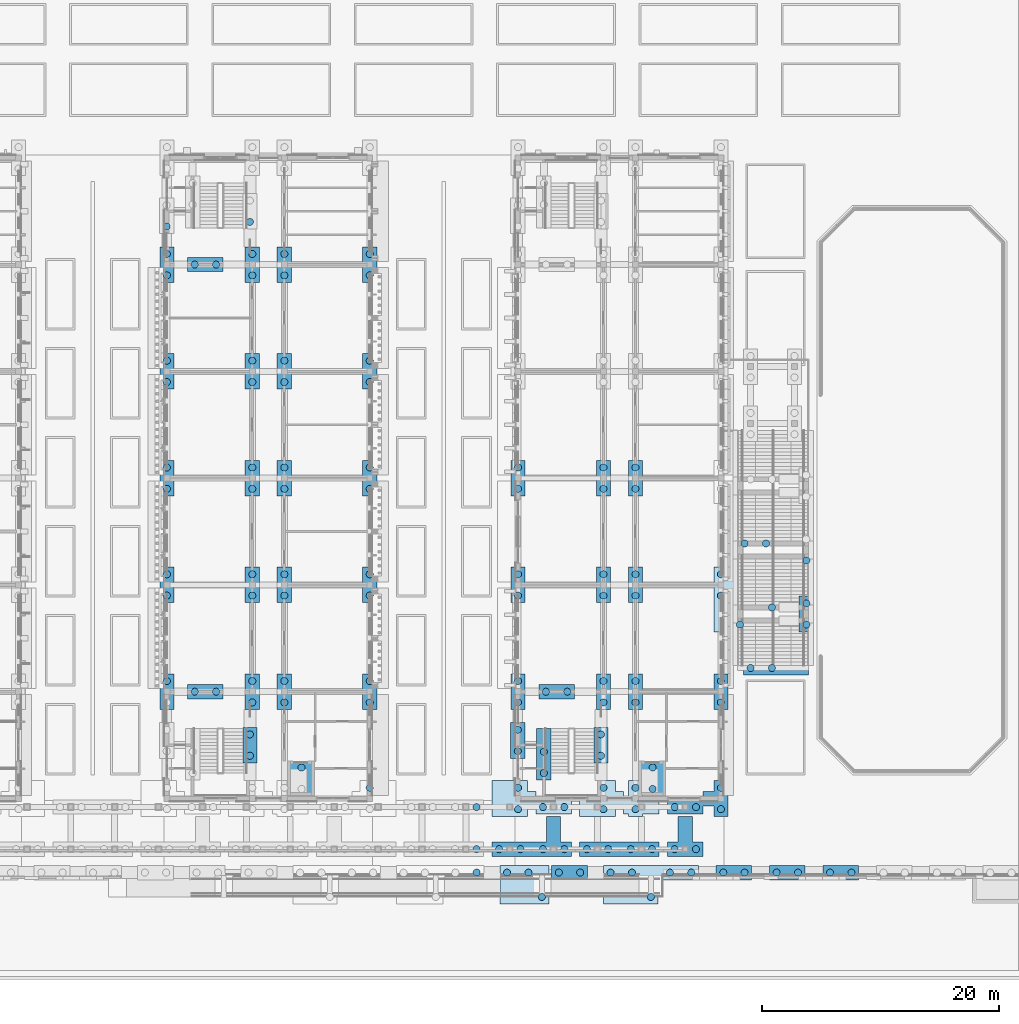
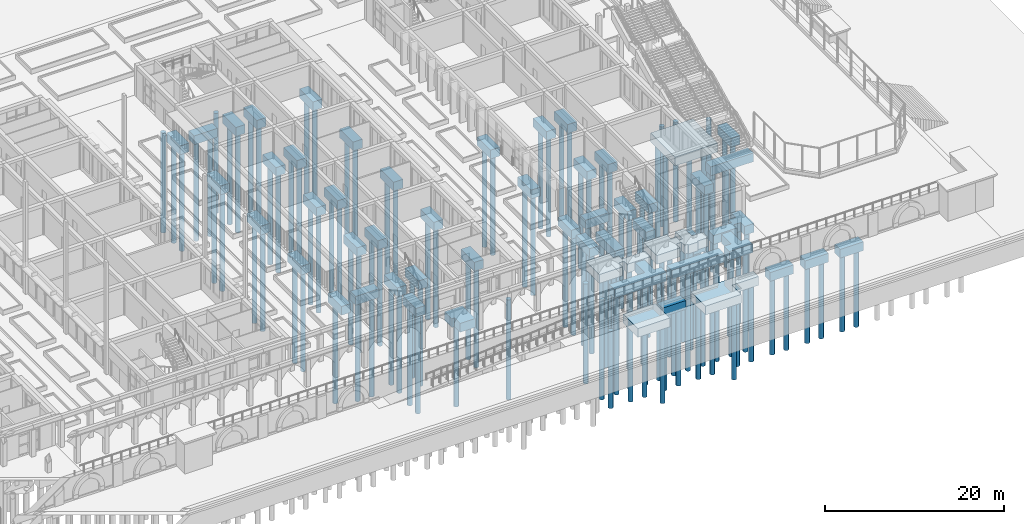
# One storey, part 5 of 161: 131 piles, 54 footings.
"""IFC4 building model written with IfcOpenShell, lengths in metres."""

from ifc_helpers import new_model, si_unit, direction, frame, origin, origin_2d, place, context, subcontext, project, spatial, polyline, rectangle, circle, outline, extrude, material, material_profile, profile_set, type_object, element, save


model = new_model("IFC4")

# Units and contexts
model_context = context("Model", 3, precision=1e-05, world=origin(), true_north=direction((0.0, 1.0)))
body_context = subcontext(model_context, "Body", "Model", "MODEL_VIEW")
ifc_project = project(units=[si_unit("LENGTHUNIT", "METRE"), si_unit("AREAUNIT", "SQUARE_METRE"), si_unit("VOLUMEUNIT", "CUBIC_METRE"), si_unit("PLANEANGLEUNIT", "RADIAN"), si_unit("MASSUNIT", "GRAM", prefix="KILO")], contexts=[model_context])

# Site, building, storey
site_placement = place(None, origin())
site = spatial("IfcSite", under=ifc_project, at=site_placement, CompositionType="ELEMENT")
building_placement = place(site_placement, origin())
building = spatial("IfcBuilding", under=site, at=building_placement, Name="Elbe Cascade School", CompositionType="ELEMENT")
storey_placement = place(building_placement, origin())
storey = spatial("IfcBuildingStorey", under=building, at=storey_placement, Name="L00", CompositionType="ELEMENT", Elevation=0.0)

# Piles
ifc_material_1 = material(Name="Concrete C35/45", Category="concrete")
ifc_material_profile = material_profile(ifc_material_1, circle(Radius=0.300048828125, at=origin_2d()), Name="RC D600")
ifc_profile_set = profile_set([ifc_material_profile], Name="Concrete C35/45")
pile_type = type_object("IfcPileType", Name="Found bored pile RC D600", PredefinedType="BORED", material=ifc_profile_set)
for number, where, z_axis, x_axis, name in (
    (1, (156.8759765625, -0.25, -4.5), (0.0, 0.0, -1.0), (1.0, 0.0, 0.0), "Pile 028-1"),
    (2, (158.67578125, -0.25, -4.5), (0.0, 0.0, -1.0), (1.0, 0.0, 0.0), "Pile 028-2"),
    (3, (159.81005859375, -2.300048828125, -4.5), (0.0, 0.0, -1.0), (1.0, 0.0, 0.0), "Pile 028-3"),
    (4, (161.238037109375, -0.25, -4.5), (0.0, 0.0, -1.0), (1.0, 0.0, 0.0), "Pile 029-1"),
    (5, (163.037841796875, -0.25, -4.5), (0.0, 0.0, -1.0), (1.0, 0.0, 0.0), "Pile 029-2"),
    (6, (175.10009765625, -0.25, -4.5), (0.0, 0.0, -1.0), (1.0, 0.0, 0.0), "Pile 030-1"),
    (7, (176.89990234375, -0.25, -4.5), (0.0, 0.0, -1.0), (1.0, 0.0, 0.0), "Pile 030-2"),
    (8, (179.60009765625, -0.25, -4.5), (0.0, 0.0, -1.0), (1.0, 0.0, 0.0), "Pile 031-1"),
    (9, (181.39990234375, -0.25, -4.5), (0.0, 0.0, -1.0), (1.0, 0.0, 0.0), "Pile 031-2"),
    (10, (184.10009765625, -0.25, -4.5), (0.0, 0.0, -1.0), (1.0, 0.0, 0.0), "Pile 032-1"),
    (11, (185.89990234375, -0.25, -4.5), (0.0, 0.0, -1.0), (1.0, 0.0, 0.0), "Pile 032-2"),
):
    element("IfcPile", number, at=place(storey_placement, frame(where, z_axis=z_axis, x_axis=x_axis)), inside=storey, type_object=pile_type, Name=name, PredefinedType="BORED", context=body_context, shape_type="SweptSolid", body=[
        extrude(circle(Radius=0.300048828125, at=origin_2d()), origin(), (0.0, 0.0, 1.0), 10.5),
    ])
for number, where, z_axis, x_axis, name in (
    (12, (139.550048828125, 8.60009765625, -3.199951171875), (0.0, 0.0, -1.0), (1.0, 0.0, 0.0), "Pile 039-2"),
    (13, (169.14990234375, 6.800048828125, -3.199951171875), (0.0, 0.0, -1.0), (1.0, 0.0, 0.0), "Pile 040-1"),
    (14, (169.14990234375, 8.60009765625, -3.199951171875), (0.0, 0.0, -1.0), (1.0, 0.0, 0.0), "Pile 040-2"),
):
    element("IfcPile", number, at=place(storey_placement, frame(where, z_axis=z_axis, x_axis=x_axis)), inside=storey, type_object=pile_type, Name=name, PredefinedType="BORED", context=body_context, shape_type="SweptSolid", body=[
        extrude(circle(Radius=0.300048828125, at=origin_2d()), origin(), (0.0, 0.0, 1.0), 11.800048828125),
    ])
for number, where, z_axis, x_axis, name in (
    (15, (128.179931640625, 54.2099609375, -1.39990234375), (0.0, 0.0, -1.0), (1.0, 0.0, 0.0), "Pile 193-1"),
    (16, (128.199951171875, 15.89990234375, -1.39990234375), (0.0, 0.0, -1.0), (1.0, 0.0, 0.0), "Pile 194-2"),
    (17, (128.199951171875, 23.10009765625, -1.39990234375), (0.0, 0.0, -1.0), (1.0, 0.0, 0.0), "Pile 195-1"),
    (18, (128.199951171875, 24.89990234375, -1.39990234375), (0.0, 0.0, -1.0), (1.0, 0.0, 0.0), "Pile 195-2"),
    (19, (128.199951171875, 32.10009765625, -1.39990234375), (0.0, 0.0, -1.0), (1.0, 0.0, 0.0), "Pile 196-1"),
    (20, (128.199951171875, 33.89990234375, -1.39990234375), (0.0, 0.0, -1.0), (1.0, 0.0, 0.0), "Pile 196-2"),
    (21, (128.199951171875, 41.10009765625, -1.39990234375), (0.0, 0.0, -1.0), (1.0, 0.0, 0.0), "Pile 197-1"),
    (22, (128.199951171875, 42.89990234375, -1.39990234375), (0.0, 0.0, -1.0), (1.0, 0.0, 0.0), "Pile 197-2"),
    (23, (128.199951171875, 50.10009765625, -1.39990234375), (0.0, 0.0, -1.0), (1.0, 0.0, 0.0), "Pile 198-1"),
    (24, (128.199951171875, 51.89990234375, -1.39990234375), (0.0, 0.0, -1.0), (1.0, 0.0, 0.0), "Pile 198-2"),
    (25, (130.550048828125, 15.0, -1.39990234375), (0.0, 0.0, -1.0), (1.0, 0.0, 0.0), "Pile 200-1"),
    (26, (132.35009765625, 15.0, -1.39990234375), (0.0, 0.0, -1.0), (1.0, 0.0, 0.0), "Pile 200-2"),
    (27, (130.550048828125, 51.0, -1.39990234375), (0.0, 0.0, -1.0), (1.0, 0.0, 0.0), "Pile 201-1"),
    (28, (132.35009765625, 51.0, -1.39990234375), (0.0, 0.0, -1.0), (1.0, 0.0, 0.0), "Pile 201-2"),
    (29, (135.199951171875, 9.60009765625, -1.39990234375), (0.0, 0.0, -1.0), (1.0, 0.0, 0.0), "Pile 202-1"),
    (30, (135.199951171875, 11.39990234375, -1.39990234375), (0.0, 0.0, -1.0), (1.0, 0.0, 0.0), "Pile 202-2"),
    (31, (135.199951171875, 54.60009765625, -1.39990234375), (0.0, 0.0, -1.0), (1.0, 0.0, 0.0), "Pile 203-1"),
    (32, (135.39990234375, 14.10009765625, -1.39990234375), (0.0, 0.0, -1.0), (1.0, 0.0, 0.0), "Pile 204-1"),
    (33, (135.39990234375, 15.89990234375, -1.39990234375), (0.0, 0.0, -1.0), (1.0, 0.0, 0.0), "Pile 204-2"),
    (34, (135.39990234375, 23.10009765625, -1.39990234375), (0.0, 0.0, -1.0), (1.0, 0.0, 0.0), "Pile 205-1"),
    (35, (135.39990234375, 24.89990234375, -1.39990234375), (0.0, 0.0, -1.0), (1.0, 0.0, 0.0), "Pile 205-2"),
    (36, (135.39990234375, 32.10009765625, -1.39990234375), (0.0, 0.0, -1.0), (1.0, 0.0, 0.0), "Pile 206-1"),
    (37, (135.39990234375, 33.89990234375, -1.39990234375), (0.0, 0.0, -1.0), (1.0, 0.0, 0.0), "Pile 206-2"),
    (38, (135.39990234375, 41.10009765625, -1.39990234375), (0.0, 0.0, -1.0), (1.0, 0.0, 0.0), "Pile 207-1"),
    (39, (135.39990234375, 42.89990234375, -1.39990234375), (0.0, 0.0, -1.0), (1.0, 0.0, 0.0), "Pile 207-2"),
    (40, (135.39990234375, 50.10009765625, -1.39990234375), (0.0, 0.0, -1.0), (1.0, 0.0, 0.0), "Pile 208-1"),
    (41, (135.39990234375, 51.89990234375, -1.39990234375), (0.0, 0.0, -1.0), (1.0, 0.0, 0.0), "Pile 208-2"),
    (42, (138.10009765625, 14.10009765625, -1.39990234375), (0.0, 0.0, -1.0), (1.0, 0.0, 0.0), "Pile 210-1"),
    (43, (138.10009765625, 15.89990234375, -1.39990234375), (0.0, 0.0, -1.0), (1.0, 0.0, 0.0), "Pile 210-2"),
    (44, (138.10009765625, 23.10009765625, -1.39990234375), (0.0, 0.0, -1.0), (1.0, 0.0, 0.0), "Pile 211-1"),
    (45, (138.10009765625, 24.89990234375, -1.39990234375), (0.0, 0.0, -1.0), (1.0, 0.0, 0.0), "Pile 211-2"),
    (46, (138.10009765625, 32.10009765625, -1.39990234375), (0.0, 0.0, -1.0), (1.0, 0.0, 0.0), "Pile 212-1"),
    (47, (138.10009765625, 33.89990234375, -1.39990234375), (0.0, 0.0, -1.0), (1.0, 0.0, 0.0), "Pile 212-2"),
    (48, (138.10009765625, 41.10009765625, -1.39990234375), (0.0, 0.0, -1.0), (1.0, 0.0, 0.0), "Pile 213-1"),
    (49, (138.10009765625, 42.89990234375, -1.39990234375), (0.0, 0.0, -1.0), (1.0, 0.0, 0.0), "Pile 213-2"),
    (50, (138.10009765625, 50.10009765625, -1.39990234375), (0.0, 0.0, -1.0), (1.0, 0.0, 0.0), "Pile 214-1"),
    (51, (138.10009765625, 51.89990234375, -1.39990234375), (0.0, 0.0, -1.0), (1.0, 0.0, 0.0), "Pile 214-2"),
    (52, (145.300048828125, 14.10009765625, -1.39990234375), (0.0, 0.0, -1.0), (1.0, 0.0, 0.0), "Pile 216-1"),
    (53, (145.300048828125, 15.89990234375, -1.39990234375), (0.0, 0.0, -1.0), (1.0, 0.0, 0.0), "Pile 216-2"),
    (54, (145.300048828125, 23.10009765625, -1.39990234375), (0.0, 0.0, -1.0), (1.0, 0.0, 0.0), "Pile 217-1"),
    (55, (145.300048828125, 24.89990234375, -1.39990234375), (0.0, 0.0, -1.0), (1.0, 0.0, 0.0), "Pile 217-2"),
    (56, (145.300048828125, 32.10009765625, -1.39990234375), (0.0, 0.0, -1.0), (1.0, 0.0, 0.0), "Pile 218-1"),
    (57, (145.300048828125, 33.89990234375, -1.39990234375), (0.0, 0.0, -1.0), (1.0, 0.0, 0.0), "Pile 218-2"),
    (58, (145.300048828125, 41.10009765625, -1.39990234375), (0.0, 0.0, -1.0), (1.0, 0.0, 0.0), "Pile 219-1"),
    (59, (145.300048828125, 42.89990234375, -1.39990234375), (0.0, 0.0, -1.0), (1.0, 0.0, 0.0), "Pile 219-2"),
    (60, (145.300048828125, 50.10009765625, -1.39990234375), (0.0, 0.0, -1.0), (1.0, 0.0, 0.0), "Pile 220-1"),
    (61, (145.300048828125, 51.89990234375, -1.39990234375), (0.0, 0.0, -1.0), (1.0, 0.0, 0.0), "Pile 220-2"),
    (62, (157.780029296875, 9.989990234375, -1.39990234375), (0.0, 0.0, -1.0), (1.0, 0.0, 0.0), "Pile 222-1"),
    (63, (157.780029296875, 11.7900390625, -1.39990234375), (0.0, 0.0, -1.0), (1.0, 0.0, 0.0), "Pile 222-2"),
    (64, (157.800048828125, 14.10009765625, -1.39990234375), (0.0, 0.0, -1.0), (1.0, 0.0, 0.0), "Pile 224-1"),
    (65, (157.800048828125, 15.89990234375, -1.39990234375), (0.0, 0.0, -1.0), (1.0, 0.0, 0.0), "Pile 224-2"),
    (66, (157.800048828125, 23.10009765625, -1.39990234375), (0.0, 0.0, -1.0), (1.0, 0.0, 0.0), "Pile 225-1"),
    (67, (157.800048828125, 24.89990234375, -1.39990234375), (0.0, 0.0, -1.0), (1.0, 0.0, 0.0), "Pile 225-2"),
    (68, (157.800048828125, 32.10009765625, -1.39990234375), (0.0, 0.0, -1.0), (1.0, 0.0, 0.0), "Pile 226-1"),
    (69, (157.800048828125, 33.89990234375, -1.39990234375), (0.0, 0.0, -1.0), (1.0, 0.0, 0.0), "Pile 226-2"),
    (70, (160.14990234375, 15.0, -1.39990234375), (0.0, 0.0, -1.0), (1.0, 0.0, 0.0), "Pile 230-1"),
    (71, (161.949951171875, 15.0, -1.39990234375), (0.0, 0.0, -1.0), (1.0, 0.0, 0.0), "Pile 230-2"),
    (72, (164.800048828125, 9.60009765625, -1.39990234375), (0.0, 0.0, -1.0), (1.0, 0.0, 0.0), "Pile 232-1"),
    (73, (164.800048828125, 11.39990234375, -1.39990234375), (0.0, 0.0, -1.0), (1.0, 0.0, 0.0), "Pile 232-2"),
    (74, (165.0, 14.10009765625, -1.39990234375), (0.0, 0.0, -1.0), (1.0, 0.0, 0.0), "Pile 234-1"),
    (75, (165.0, 15.89990234375, -1.39990234375), (0.0, 0.0, -1.0), (1.0, 0.0, 0.0), "Pile 234-2"),
    (76, (165.0, 23.10009765625, -1.39990234375), (0.0, 0.0, -1.0), (1.0, 0.0, 0.0), "Pile 235-1"),
    (77, (165.0, 24.89990234375, -1.39990234375), (0.0, 0.0, -1.0), (1.0, 0.0, 0.0), "Pile 235-2"),
    (78, (165.0, 32.10009765625, -1.39990234375), (0.0, 0.0, -1.0), (1.0, 0.0, 0.0), "Pile 236-1"),
    (79, (165.0, 33.89990234375, -1.39990234375), (0.0, 0.0, -1.0), (1.0, 0.0, 0.0), "Pile 236-2"),
    (80, (167.699951171875, 14.10009765625, -1.39990234375), (0.0, 0.0, -1.0), (1.0, 0.0, 0.0), "Pile 240-1"),
    (81, (167.699951171875, 15.89990234375, -1.39990234375), (0.0, 0.0, -1.0), (1.0, 0.0, 0.0), "Pile 240-2"),
    (82, (167.699951171875, 23.10009765625, -1.39990234375), (0.0, 0.0, -1.0), (1.0, 0.0, 0.0), "Pile 241-1"),
    (83, (167.699951171875, 24.89990234375, -1.39990234375), (0.0, 0.0, -1.0), (1.0, 0.0, 0.0), "Pile 241-2"),
    (84, (167.699951171875, 32.10009765625, -1.39990234375), (0.0, 0.0, -1.0), (1.0, 0.0, 0.0), "Pile 242-1"),
    (85, (167.699951171875, 33.89990234375, -1.39990234375), (0.0, 0.0, -1.0), (1.0, 0.0, 0.0), "Pile 242-2"),
    (86, (174.89990234375, 14.10009765625, -1.39990234375), (0.0, 0.0, -1.0), (1.0, 0.0, 0.0), "Pile 246-1"),
    (87, (174.89990234375, 15.89990234375, -1.39990234375), (0.0, 0.0, -1.0), (1.0, 0.0, 0.0), "Pile 246-2"),
    (88, (174.89990234375, 23.10009765625, -1.39990234375), (0.0, 0.0, -1.0), (1.0, 0.0, 0.0), "Pile 247-1"),
    (89, (174.89990234375, 24.89990234375, -1.39990234375), (0.0, 0.0, -1.0), (1.0, 0.0, 0.0), "Pile 247-2"),
    (90, (176.5, 20.64990234375, -1.39990234375), (0.0, 0.0, -1.0), (1.0, 0.0, 0.0), "Pile 247-3"),
    (91, (179.199951171875, 22.10009765625, -1.39990234375), (0.0, 0.0, -1.0), (1.0, 0.0, 0.0), "Pile 247-4"),
    (92, (182.10009765625, 20.64990234375, -1.39990234375), (0.0, 0.0, -1.0), (1.0, 0.0, 0.0), "Pile 256-1"),
    (93, (182.10009765625, 22.449951171875, -1.39990234375), (0.0, 0.0, -1.0), (1.0, 0.0, 0.0), "Pile 256-2"),
):
    element("IfcPile", number, at=place(storey_placement, frame(where, z_axis=z_axis, x_axis=x_axis)), inside=storey, type_object=pile_type, Name=name, PredefinedType="BORED", context=body_context, shape_type="SweptSolid", body=[
        extrude(circle(Radius=0.300048828125, at=origin_2d()), origin(), (0.0, 0.0, 1.0), 13.60009765625),
    ])
for number, where, z_axis, x_axis, name in (
    (94, (154.313720703125, -0.25, -4.5), (0.0, 0.0, -1.0), (1.0, 0.0, 0.0), "Pile 261-5"),
    (95, (165.60009765625, -0.25, -4.5), (0.0, 0.0, -1.0), (1.0, 0.0, 0.0), "Pile 262-1"),
    (96, (167.39990234375, -0.25, -4.5), (0.0, 0.0, -1.0), (1.0, 0.0, 0.0), "Pile 262-2"),
    (97, (169.0, -2.300048828125, -4.5), (0.0, 0.0, -1.0), (1.0, 0.0, 0.0), "Pile 262-3"),
    (98, (170.60009765625, -0.25, -4.5), (0.0, 0.0, -1.0), (1.0, 0.0, 0.0), "Pile 262-4"),
    (99, (172.39990234375, -0.25, -4.5), (0.0, 0.0, -1.0), (1.0, 0.0, 0.0), "Pile 262-5"),
):
    element("IfcPile", number, at=place(storey_placement, frame(where, z_axis=z_axis, x_axis=x_axis)), inside=storey, type_object=pile_type, Name=name, PredefinedType="BORED", context=body_context, shape_type="SweptSolid", body=[
        extrude(circle(Radius=0.300048828125, at=origin_2d()), origin(), (0.0, 0.0, 1.0), 10.5),
    ])
for number, where, z_axis, x_axis, name in (
    (100, (145.300048828125, 6.89990234375, -1.39990234375), (0.0, 0.0, -1.0), (1.0, 0.0, 0.0), "Pile 265-4"),
    (101, (157.800048828125, 5.10009765625, -1.39990234375), (0.0, 0.0, -1.0), (1.0, 0.0, 0.0), "Pile 269-1"),
    (102, (157.800048828125, 6.89990234375, -1.39990234375), (0.0, 0.0, -1.0), (1.0, 0.0, 0.0), "Pile 269-2"),
    (103, (159.89990234375, 5.27490234375, -1.39990234375), (0.0, 0.0, -1.0), (1.0, 0.0, 0.0), "Pile 269-3"),
    (104, (161.699951171875, 5.27490234375, -1.39990234375), (0.0, 0.0, -1.0), (1.0, 0.0, 0.0), "Pile 269-4"),
    (105, (165.0, 5.10009765625, -1.39990234375), (0.0, 0.0, -1.0), (1.0, 0.0, 0.0), "Pile 270-1"),
    (106, (165.0, 6.89990234375, -1.39990234375), (0.0, 0.0, -1.0), (1.0, 0.0, 0.0), "Pile 270-2"),
    (107, (167.699951171875, 5.10009765625, -1.39990234375), (0.0, 0.0, -1.0), (1.0, 0.0, 0.0), "Pile 270-3"),
    (108, (167.699951171875, 6.89990234375, -1.39990234375), (0.0, 0.0, -1.0), (1.0, 0.0, 0.0), "Pile 270-4"),
    (109, (171.0, 5.27490234375, -1.39990234375), (0.0, 0.0, -1.0), (1.0, 0.0, 0.0), "Pile 271-1"),
    (110, (172.800048828125, 5.27490234375, -1.39990234375), (0.0, 0.0, -1.0), (1.0, 0.0, 0.0), "Pile 271-2"),
    (111, (174.89990234375, 5.10009765625, -1.39990234375), (0.0, 0.0, -1.0), (1.0, 0.0, 0.0), "Pile 271-3"),
    (112, (174.89990234375, 6.89990234375, -1.39990234375), (0.0, 0.0, -1.0), (1.0, 0.0, 0.0), "Pile 271-4"),
    (113, (154.300048828125, 1.72509765625, -1.39990234375), (0.0, 0.0, -1.0), (1.0, 0.0, 0.0), "Pile 287-4"),
    (114, (163.60009765625, 1.72509765625, -1.39990234375), (0.0, 0.0, -1.0), (1.0, 0.0, 0.0), "Pile 288-1"),
    (115, (165.39990234375, 1.72509765625, -1.39990234375), (0.0, 0.0, -1.0), (1.0, 0.0, 0.0), "Pile 288-2"),
    (116, (167.300048828125, 1.72509765625, -1.39990234375), (0.0, 0.0, -1.0), (1.0, 0.0, 0.0), "Pile 288-3"),
    (117, (169.10009765625, 1.72509765625, -1.39990234375), (0.0, 0.0, -1.0), (1.0, 0.0, 0.0), "Pile 288-4"),
    (118, (154.300048828125, 5.27490234375, -1.39990234375), (0.0, 0.0, -1.0), (1.0, 0.0, 0.0), "Pile 291-4"),
    (119, (177.39990234375, 17.0, -1.39990234375), (0.0, 0.0, -1.0), (1.0, 0.0, 0.0), "Pile 296-1"),
    (120, (179.199951171875, 17.0, -1.39990234375), (0.0, 0.0, -1.0), (1.0, 0.0, 0.0), "Pile 296-2"),
    (121, (176.89990234375, 27.5, -1.39990234375), (0.0, 0.0, -1.0), (1.0, 0.0, 0.0), "Pile 297-1"),
    (122, (178.699951171875, 27.5, -1.39990234375), (0.0, 0.0, -1.0), (1.0, 0.0, 0.0), "Pile 297-2"),
    (123, (182.10009765625, 26.050048828125, -1.39990234375), (0.0, 0.0, -1.0), (1.0, 0.0, 0.0), "Pile 297-3"),
    (124, (159.97509765625, 8.139892578125, -1.39990234375), (0.0, 0.0, -1.0), (1.0, 0.0, 0.0), "Pile 301-1"),
    (125, (159.97509765625, 9.93994140625, -1.39990234375), (0.0, 0.0, -1.0), (1.0, 0.0, 0.0), "Pile 301-2"),
    (126, (156.199951171875, 1.72509765625, -1.39990234375), (0.0, 0.0, -1.0), (1.0, 0.0, 0.0), "Pile 317-1"),
    (127, (158.0, 1.72509765625, -1.39990234375), (0.0, 0.0, -1.0), (1.0, 0.0, 0.0), "Pile 317-2"),
    (128, (159.89990234375, 1.72509765625, -1.39990234375), (0.0, 0.0, -1.0), (1.0, 0.0, 0.0), "Pile 317-3"),
    (129, (161.699951171875, 1.72509765625, -1.39990234375), (0.0, 0.0, -1.0), (1.0, 0.0, 0.0), "Pile 317-4"),
    (130, (171.0, 1.72509765625, -1.39990234375), (0.0, 0.0, -1.0), (1.0, 0.0, 0.0), "Pile 318-1"),
    (131, (172.800048828125, 1.72509765625, -1.39990234375), (0.0, 0.0, -1.0), (1.0, 0.0, 0.0), "Pile 318-2"),
):
    element("IfcPile", number, at=place(storey_placement, frame(where, z_axis=z_axis, x_axis=x_axis)), inside=storey, type_object=pile_type, Name=name, PredefinedType="BORED", context=body_context, shape_type="SweptSolid", body=[
        extrude(circle(Radius=0.300048828125, at=origin_2d()), origin(), (0.0, 0.0, 1.0), 13.60009765625),
    ])

# Footings
ifc_material_2 = material(Name="Concrete C30/37", Category="concrete")
footing_type_1 = type_object("IfcFootingType", Name="Found pile cap 2 piles 3000x1200x1200", PredefinedType="PILE_CAP", material=ifc_material_2)
for number, where, z_axis, x_axis, name in (
    (132, (162.137939453125, -0.25, -4.60009765625), (0.0, 0.0, 1.0), (1.0, 0.0, 0.0), "Pile cap 029"),
    (133, (176.0, -0.25, -4.60009765625), (0.0, 0.0, 1.0), (1.0, 0.0, 0.0), "Pile cap 030"),
    (134, (180.5, -0.25, -4.60009765625), (0.0, 0.0, 1.0), (1.0, 0.0, 0.0), "Pile cap 031"),
    (135, (185.0, -0.25, -4.60009765625), (0.0, 0.0, 1.0), (1.0, 0.0, 0.0), "Pile cap 032"),
):
    element("IfcFooting", number, at=place(storey_placement, frame(where, z_axis=z_axis, x_axis=x_axis)), inside=storey, type_object=footing_type_1, Name=name, PredefinedType="PILE_CAP", context=body_context, shape_type="SweptSolid", body=[
        extrude(rectangle(XDim=3.0, YDim=1.199951171875, at=origin_2d()), origin(), (0.0, 0.0, 1.0), 1.199951171875),
    ])
for number, where, z_axis, x_axis, name in (
    (136, (128.199951171875, 15.0, -1.5), (0.0, 0.0, 1.0), (1.0, 0.0, 0.0), "Pile cap 194"),
    (137, (128.199951171875, 24.0, -1.5), (0.0, 0.0, 1.0), (1.0, 0.0, 0.0), "Pile cap 195"),
    (138, (128.199951171875, 33.0, -1.5), (0.0, 0.0, 1.0), (1.0, 0.0, 0.0), "Pile cap 196"),
    (139, (128.199951171875, 42.0, -1.5), (0.0, 0.0, 1.0), (1.0, 0.0, 0.0), "Pile cap 197"),
    (140, (128.199951171875, 51.0, -1.5), (0.0, 0.0, 1.0), (1.0, 0.0, 0.0), "Pile cap 198"),
):
    element("IfcFooting", number, at=place(storey_placement, frame(where, z_axis=z_axis, x_axis=x_axis)), inside=storey, type_object=footing_type_1, Name=name, PredefinedType="PILE_CAP", context=body_context, shape_type="SweptSolid", body=[
        extrude(rectangle(XDim=1.199951171875, YDim=3.0, at=origin_2d()), origin(), (0.0, 0.0, 1.0), 1.199951171875),
    ])
for number, where, z_axis, x_axis, name in (
    (141, (131.449951171875, 15.0, -1.5), (0.0, 0.0, 1.0), (1.0, 0.0, 0.0), "Pile cap 200"),
    (142, (131.449951171875, 51.0, -1.5), (0.0, 0.0, 1.0), (1.0, 0.0, 0.0), "Pile cap 201"),
):
    element("IfcFooting", number, at=place(storey_placement, frame(where, z_axis=z_axis, x_axis=x_axis)), inside=storey, type_object=footing_type_1, Name=name, PredefinedType="PILE_CAP", context=body_context, shape_type="SweptSolid", body=[
        extrude(rectangle(XDim=3.0, YDim=1.199951171875, at=origin_2d()), origin(), (0.0, 0.0, 1.0), 1.199951171875),
    ])
for number, where, z_axis, x_axis, name in (
    (143, (135.199951171875, 10.5, -1.5), (0.0, 0.0, 1.0), (1.0, 0.0, 0.0), "Pile cap 202"),
    (144, (135.39990234375, 15.0, -1.5), (0.0, 0.0, 1.0), (1.0, 0.0, 0.0), "Pile cap 204"),
    (145, (135.39990234375, 24.0, -1.5), (0.0, 0.0, 1.0), (1.0, 0.0, 0.0), "Pile cap 205"),
    (146, (135.39990234375, 33.0, -1.5), (0.0, 0.0, 1.0), (1.0, 0.0, 0.0), "Pile cap 206"),
    (147, (135.39990234375, 42.0, -1.5), (0.0, 0.0, 1.0), (1.0, 0.0, 0.0), "Pile cap 207"),
    (148, (135.39990234375, 51.0, -1.5), (0.0, 0.0, 1.0), (1.0, 0.0, 0.0), "Pile cap 208"),
    (149, (138.10009765625, 15.0, -1.5), (0.0, 0.0, 1.0), (1.0, 0.0, 0.0), "Pile cap 210"),
    (150, (138.10009765625, 24.0, -1.5), (0.0, 0.0, 1.0), (1.0, 0.0, 0.0), "Pile cap 211"),
    (151, (138.10009765625, 33.0, -1.5), (0.0, 0.0, 1.0), (1.0, 0.0, 0.0), "Pile cap 212"),
    (152, (138.10009765625, 42.0, -1.5), (0.0, 0.0, 1.0), (1.0, 0.0, 0.0), "Pile cap 213"),
    (153, (138.10009765625, 51.0, -1.5), (0.0, 0.0, 1.0), (1.0, 0.0, 0.0), "Pile cap 214"),
    (154, (145.300048828125, 15.0, -1.5), (0.0, 0.0, 1.0), (1.0, 0.0, 0.0), "Pile cap 216"),
    (155, (145.300048828125, 24.0, -1.5), (0.0, 0.0, 1.0), (1.0, 0.0, 0.0), "Pile cap 217"),
    (156, (145.300048828125, 33.0, -1.5), (0.0, 0.0, 1.0), (1.0, 0.0, 0.0), "Pile cap 218"),
    (157, (145.300048828125, 42.0, -1.5), (0.0, 0.0, 1.0), (1.0, 0.0, 0.0), "Pile cap 219"),
    (158, (145.300048828125, 51.0, -1.5), (0.0, 0.0, 1.0), (1.0, 0.0, 0.0), "Pile cap 220"),
    (159, (157.780029296875, 10.889892578125, -1.5), (0.0, 0.0, 1.0), (1.0, 0.0, 0.0), "Pile cap 222"),
    (160, (157.800048828125, 15.0, -1.5), (0.0, 0.0, 1.0), (1.0, 0.0, 0.0), "Pile cap 224"),
    (161, (157.800048828125, 24.0, -1.5), (0.0, 0.0, 1.0), (1.0, 0.0, 0.0), "Pile cap 225"),
    (162, (157.800048828125, 33.0, -1.5), (0.0, 0.0, 1.0), (1.0, 0.0, 0.0), "Pile cap 226"),
):
    element("IfcFooting", number, at=place(storey_placement, frame(where, z_axis=z_axis, x_axis=x_axis)), inside=storey, type_object=footing_type_1, Name=name, PredefinedType="PILE_CAP", context=body_context, shape_type="SweptSolid", body=[
        extrude(rectangle(XDim=1.199951171875, YDim=3.0, at=origin_2d()), origin(), (0.0, 0.0, 1.0), 1.199951171875),
    ])
footing_1_placement = place(storey_placement, frame((161.050048828125, 15.0, -1.5), z_axis=(0.0, 0.0, 1.0), x_axis=(1.0, 0.0, 0.0)))
element("IfcFooting", 163, at=footing_1_placement, inside=storey, type_object=footing_type_1, Name="Pile cap 230", PredefinedType="PILE_CAP", context=body_context, shape_type="SweptSolid", body=[
    extrude(rectangle(XDim=3.0, YDim=1.199951171875, at=origin_2d()), origin(), (0.0, 0.0, 1.0), 1.199951171875),
])
for number, where, z_axis, x_axis, name in (
    (164, (164.800048828125, 10.5, -1.5), (0.0, 0.0, 1.0), (1.0, 0.0, 0.0), "Pile cap 232"),
    (165, (165.0, 15.0, -1.5), (0.0, 0.0, 1.0), (1.0, 0.0, 0.0), "Pile cap 234"),
    (166, (165.0, 24.0, -1.5), (0.0, 0.0, 1.0), (1.0, 0.0, 0.0), "Pile cap 235"),
    (167, (165.0, 33.0, -1.5), (0.0, 0.0, 1.0), (1.0, 0.0, 0.0), "Pile cap 236"),
    (168, (167.699951171875, 15.0, -1.5), (0.0, 0.0, 1.0), (1.0, 0.0, 0.0), "Pile cap 240"),
    (169, (167.699951171875, 24.0, -1.5), (0.0, 0.0, 1.0), (1.0, 0.0, 0.0), "Pile cap 241"),
    (170, (167.699951171875, 33.0, -1.5), (0.0, 0.0, 1.0), (1.0, 0.0, 0.0), "Pile cap 242"),
    (171, (174.89990234375, 15.0, -1.5), (0.0, 0.0, 1.0), (1.0, 0.0, 0.0), "Pile cap 246"),
    (172, (182.10009765625, 21.550048828125, -1.5), (0.0, 0.0, 1.0), (1.0, 0.0, 0.0), "Pile cap 256"),
):
    element("IfcFooting", number, at=place(storey_placement, frame(where, z_axis=z_axis, x_axis=x_axis)), inside=storey, type_object=footing_type_1, Name=name, PredefinedType="PILE_CAP", context=body_context, shape_type="SweptSolid", body=[
        extrude(rectangle(XDim=1.199951171875, YDim=3.0, at=origin_2d()), origin(), (0.0, 0.0, 1.0), 1.199951171875),
    ])
ifc_material_3 = material(Name="Concrete C30/37", Category="concrete")
footing_type_2 = type_object("IfcFootingType", Name="Found pile cap 2 piles 4360x1200x1200", PredefinedType="PILE_CAP", material=ifc_material_3)
footing_2_placement = place(storey_placement, frame((159.97509765625, 9.719970703125, -1.5), z_axis=(0.0, 0.0, 1.0), x_axis=(1.0, 0.0, 0.0)))
element("IfcFooting", 173, at=footing_2_placement, inside=storey, type_object=footing_type_2, Name="Pile cap 301", PredefinedType="PILE_CAP", context=body_context, shape_type="SweptSolid", body=[
    extrude(rectangle(XDim=1.199951171875, YDim=4.360107421875, at=origin_2d()), origin(), (0.0, 0.0, 1.0), 1.199951171875),
])
ifc_material_4 = material(Name="Concrete C30/37", Category="concrete")
footing_type_3 = type_object("IfcFootingType", Name="Found pile cap 2 piles 5500x1200x1200", PredefinedType="PILE_CAP", material=ifc_material_4)
footing_3_placement = place(storey_placement, frame((179.550048828125, 17.0, -1.5), z_axis=(0.0, 0.0, 1.0), x_axis=(1.0, 0.0, 0.0)))
element("IfcFooting", 174, at=footing_3_placement, inside=storey, type_object=footing_type_3, Name="Pile cap 296", PredefinedType="PILE_CAP", context=body_context, shape_type="SweptSolid", body=[
    extrude(rectangle(XDim=5.5, YDim=1.199951171875, at=origin_2d()), origin(), (0.0, 0.0, 1.0), 1.199951171875),
])
ifc_material_5 = material(Name="Concrete C30/37", Category="concrete")
footing_type_4 = type_object("IfcFootingType", Name="Found pile cap 3 piles 4134x3250x1200", PredefinedType="PILE_CAP", material=ifc_material_5)
footing_4_placement = place(storey_placement, frame((158.343017578125, -1.27490234375, -4.60009765625), z_axis=(0.0, 0.0, 1.0), x_axis=(1.0, 0.0, 0.0)))
element("IfcFooting", 175, at=footing_4_placement, inside=storey, type_object=footing_type_4, Name="Pile cap 028", PredefinedType="PILE_CAP", context=body_context, shape_type="SweptSolid", body=[
    extrude(rectangle(XDim=4.134033203125, YDim=3.25, at=origin_2d()), origin(), (0.0, 0.0, 1.0), 1.199951171875),
])
ifc_material_6 = material(Name="Concrete C30/37", Category="concrete")
footing_type_5 = type_object("IfcFootingType", Name="Found pile cap 4 piles 5500x5450x1200", PredefinedType="PILE_CAP", material=ifc_material_6)
footing_5_placement = place(storey_placement, frame((177.050048828125, 22.77490234375, -1.5), z_axis=(0.0, 0.0, 1.0), x_axis=(1.0, 0.0, 0.0)))
element("IfcFooting", 176, at=footing_5_placement, inside=storey, type_object=footing_type_5, Name="Pile cap 247", PredefinedType="PILE_CAP", context=body_context, shape_type="SweptSolid", body=[
    extrude(rectangle(XDim=5.5, YDim=5.449951171875, at=origin_2d()), origin(), (0.0, 0.0, 1.0), 1.199951171875),
])
ifc_material_7 = material(Name="Concrete C30/37", Category="concrete")
footing_type_6 = type_object("IfcFootingType", Name="Found pile cap 4 piles 6700x1200x1200", PredefinedType="PILE_CAP", material=ifc_material_7)
footing_6_placement = place(storey_placement, frame((166.35009765625, 1.72509765625, -1.5), z_axis=(0.0, 0.0, 1.0), x_axis=(1.0, 0.0, 0.0)))
element("IfcFooting", 177, at=footing_6_placement, inside=storey, type_object=footing_type_6, Name="Pile cap 288", PredefinedType="PILE_CAP", context=body_context, shape_type="SweptSolid", body=[
    extrude(rectangle(XDim=6.699951171875, YDim=1.199951171875, at=origin_2d()), origin(), (0.0, 0.0, 1.0), 1.199951171875),
])
ifc_material_8 = material(Name="Concrete C30/37", Category="concrete")
footing_type_7 = type_object("IfcFootingType", Name="Found pile cap merged 1200", PredefinedType="PILE_CAP", material=ifc_material_8)
footing_7_placement = place(storey_placement, frame((0.0, 0.0, -3.300048828125)))
element("IfcFooting", 178, at=footing_7_placement, inside=storey, type_object=footing_type_7, Name="Pile cap 039", PredefinedType="PILE_CAP", context=body_context, shape_type="SweptSolid", body=[
    extrude(outline(polyline([(138.35009765625, 9.14990234375), (140.64990234375, 9.14990234375), (140.64990234375, 6.25), (138.699951171875, 6.25), (138.699951171875, 7.5), (138.35009765625, 7.5), (138.35009765625, 9.14990234375)])), origin(), (0.0, 0.0, 1.0), 1.199951171875),
])
footing_8_placement = place(storey_placement, frame((0.0, 0.0, -3.300048828125)))
element("IfcFooting", 179, at=footing_8_placement, inside=storey, type_object=footing_type_7, Name="Pile cap 040", PredefinedType="PILE_CAP", context=body_context, shape_type="SweptSolid", body=[
    extrude(outline(polyline([(167.949951171875, 9.14990234375), (170.25, 9.14990234375), (170.25, 6.25), (168.300048828125, 6.25), (168.300048828125, 7.5), (167.949951171875, 7.5), (167.949951171875, 9.14990234375)])), origin(), (0.0, 0.0, 1.0), 1.199951171875),
])
footing_9_placement = place(storey_placement, frame((0.0, 0.0, -4.60009765625)))
element("IfcFooting", 180, at=footing_9_placement, inside=storey, type_object=footing_type_7, Name="Pile cap 262", PredefinedType="PILE_CAP", context=body_context, shape_type="SweptSolid", body=[
    extrude(outline(polyline([(169.60009765625, -2.89990234375), (165.0, -2.89990234375), (165.0, 0.35009765625), (169.60009765625, 0.35009765625), (170.0, 0.35009765625), (173.0, 0.35009765625), (173.0, -0.85009765625), (170.0, -0.85009765625), (169.60009765625, -0.85009765625), (169.60009765625, -2.89990234375)])), origin(), (0.0, 0.0, 1.0), 1.2001953125),
])
footing_10_placement = place(storey_placement, frame((0.0, 0.0, -1.5)))
element("IfcFooting", 181, at=footing_10_placement, inside=storey, type_object=footing_type_7, Name="Pile cap 269", PredefinedType="PILE_CAP", context=body_context, shape_type="SweptSolid", body=[
    extrude(outline(polyline([(162.300048828125, 5.875), (162.300048828125, 4.675048828125), (159.300048828125, 4.675048828125), (159.300048828125, 5.3798828125), (158.60009765625, 5.3798828125), (158.60009765625, 4.5), (155.60009765625, 4.5), (155.60009765625, 7.5), (158.60009765625, 7.5), (158.60009765625, 6.580078125), (159.300048828125, 6.580078125), (159.300048828125, 5.875), (162.300048828125, 5.875)])), origin(), (0.0, 0.0, 1.0), 1.199951171875),
])
footing_11_placement = place(storey_placement, frame((0.0, 0.0, -1.5)))
element("IfcFooting", 182, at=footing_11_placement, inside=storey, type_object=footing_type_7, Name="Pile cap 270", PredefinedType="PILE_CAP", context=body_context, shape_type="SweptSolid", body=[
    extrude(outline(polyline([(166.699951171875, 5.875), (167.10009765625, 5.875), (167.10009765625, 7.5), (168.300048828125, 7.5), (168.300048828125, 5.875), (169.699951171875, 5.875), (169.699951171875, 4.675048828125), (168.300048828125, 4.675048828125), (168.300048828125, 4.5), (167.10009765625, 4.5), (167.10009765625, 4.675048828125), (166.699951171875, 4.675048828125), (166.699951171875, 5.3798828125), (166.0, 5.3798828125), (166.0, 4.5), (163.0, 4.5), (163.0, 7.5), (166.0, 7.5), (166.0, 6.580078125), (166.699951171875, 6.580078125), (166.699951171875, 5.875)])), origin(), (0.0, 0.0, 1.0), 1.199951171875),
])
footing_12_placement = place(storey_placement, frame((0.0, 0.0, -1.5)))
element("IfcFooting", 183, at=footing_12_placement, inside=storey, type_object=footing_type_7, Name="Pile cap 271", PredefinedType="PILE_CAP", context=body_context, shape_type="SweptSolid", body=[
    extrude(outline(polyline([(173.39990234375, 4.675048828125), (170.39990234375, 4.675048828125), (170.39990234375, 5.875), (173.39990234375, 5.875), (173.39990234375, 6.580078125), (174.300048828125, 6.580078125), (174.300048828125, 7.5), (175.5, 7.5), (175.5, 4.5), (174.300048828125, 4.5), (174.300048828125, 5.3798828125), (173.39990234375, 5.3798828125), (173.39990234375, 4.675048828125)])), origin(), (0.0, 0.0, 1.0), 1.199951171875),
])
footing_13_placement = place(storey_placement, frame((0.0, 0.0, -1.5)))
element("IfcFooting", 184, at=footing_13_placement, inside=storey, type_object=footing_type_7, Name="Pile cap 317", PredefinedType="PILE_CAP", context=body_context, shape_type="SweptSolid", body=[
    extrude(outline(polyline([(155.60009765625, 2.324951171875), (158.60009765625, 2.324951171875), (159.300048828125, 2.324951171875), (160.199951171875, 2.324951171875), (160.199951171875, 4.5), (161.39990234375, 4.5), (161.39990234375, 2.324951171875), (162.300048828125, 2.324951171875), (162.300048828125, 1.125), (159.300048828125, 1.125), (158.60009765625, 1.125), (155.60009765625, 1.125), (155.60009765625, 2.324951171875)])), origin(), (0.0, 0.0, 1.0), 1.199951171875),
])
footing_14_placement = place(storey_placement, frame((0.0, 0.0, -1.5)))
element("IfcFooting", 185, at=footing_14_placement, inside=storey, type_object=footing_type_7, Name="Pile cap 318", PredefinedType="PILE_CAP", context=body_context, shape_type="SweptSolid", body=[
    extrude(outline(polyline([(173.39990234375, 2.324951171875), (173.39990234375, 1.125), (170.39990234375, 1.125), (170.39990234375, 2.324951171875), (171.300048828125, 2.324951171875), (171.300048828125, 4.5), (172.5, 4.5), (172.5, 2.324951171875), (173.39990234375, 2.324951171875)])), origin(), (0.0, 0.0, 1.0), 1.199951171875),
])

save(model, "model.ifc")
